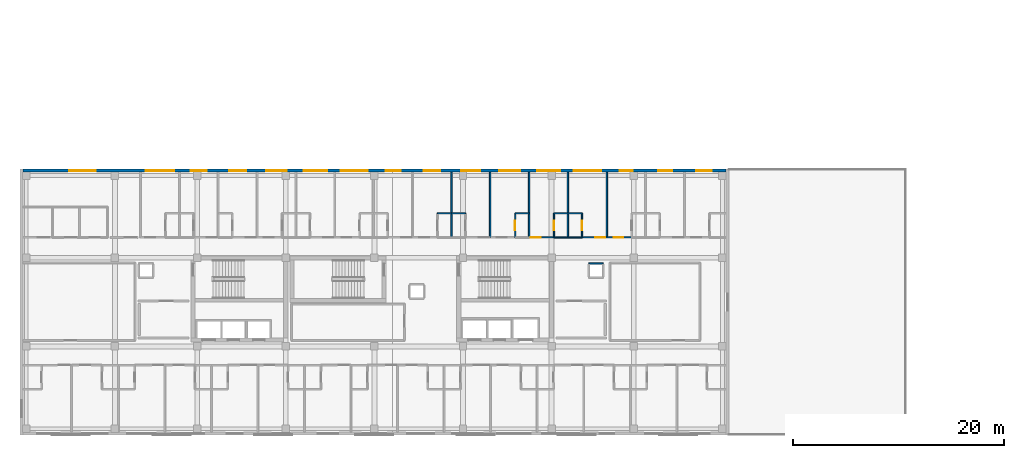
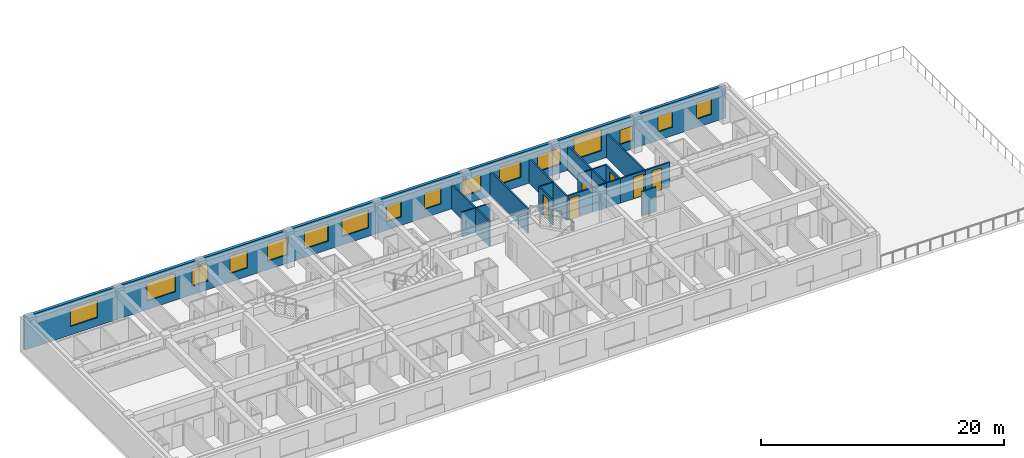
# One storey, part 8 of 13: 20 walls, 16 windows, 6 doors, 22 openings.
"""IFC4 building model written with IfcOpenShell, lengths in metres."""

import ifcopenshell
import ifcopenshell.guid

model = None  # the IFC model being written
_history = None  # IfcOwnerHistory: only IFC2X3 demands one
_inside = {}  # id of a spatial element -> (the spatial element, [elements in it])
_under = {}  # id of a project, library or spatial element -> (it, [spatial elements below it])
_declared = {}  # id of a project -> (the project, [libraries it declares])
_typed = {}  # id of a type object -> (the type object, [elements of that type])
_made_of = {}  # id of a material, layer set ... -> (it, [elements and type objects made of it])


def new_model(schema):
    """Start an empty IFC model of exactly this schema.

    Asked for "IFC4X3", IfcOpenShell would pick the latest addendum, in which some entities
    have other attributes; the version numbers below select the first issue.
    IFC2X3 requires an IfcOwnerHistory on every rooted entity: one is made here for all.
    """
    global model, _history
    if schema == "IFC4X3":
        model = ifcopenshell.file(schema_version=(4, 3, 0, 0))
    else:
        model = ifcopenshell.file(schema=schema)
    _inside.clear()
    _under.clear()
    _declared.clear()
    _typed.clear()
    _made_of.clear()
    _history = None
    if model.schema == "IFC2X3":
        org = make("IfcOrganization", Name="unknown")
        user = make(
            "IfcPersonAndOrganization",
            ThePerson=make("IfcPerson", FamilyName="unknown"),
            TheOrganization=org,
        )
        app = make(
            "IfcApplication",
            ApplicationDeveloper=org,
            Version="unknown",
            ApplicationFullName="unknown",
            ApplicationIdentifier="unknown",
        )
        _history = make(
            "IfcOwnerHistory",
            OwningUser=user,
            OwningApplication=app,
            ChangeAction="ADDED",
            CreationDate=0,
        )
    return model


def make(cls, **values):
    """One entity of the class cls with the attributes given. An attribute that is None is left unset."""
    return model.create_entity(
        cls, **{name: value for name, value in values.items() if value is not None}
    )


def rooted(cls, **values):
    """An entity with a GlobalId (a new one), such as an element, a storey or a relation."""
    return make(cls, GlobalId=ifcopenshell.guid.new(), OwnerHistory=_history, **values)


def si_unit(unit_type, name, prefix=None):
    """IfcSIUnit, for example si_unit("LENGTHUNIT", "METRE", prefix="MILLI")."""
    return make("IfcSIUnit", UnitType=unit_type, Prefix=prefix, Name=name)


def assignment(units):
    """IfcUnitAssignment: the units of a project."""
    return None if units is None else make("IfcUnitAssignment", Units=units)


def point(xyz):
    """IfcCartesianPoint."""
    return None if xyz is None else make("IfcCartesianPoint", Coordinates=xyz)


def direction(xyz):
    """IfcDirection."""
    return None if xyz is None else make("IfcDirection", DirectionRatios=xyz)


def frame(location, z_axis=None, x_axis=None):
    """IfcAxis2Placement3D, a coordinate frame: its origin and axes. An axis left out is left unset."""
    return make(
        "IfcAxis2Placement3D",
        Location=point(location),
        Axis=direction(z_axis),
        RefDirection=direction(x_axis),
    )


def frame_2d(location, x_axis=None):
    """IfcAxis2Placement2D, a coordinate frame in the plane: its origin and x axis."""
    return make(
        "IfcAxis2Placement2D", Location=point(location), RefDirection=direction(x_axis)
    )


def origin():
    """The frame at (0, 0, 0) with its axes left unset."""
    return frame((0.0, 0.0, 0.0))


def place(relative_to, where):
    """IfcLocalPlacement: puts the frame where relative to a parent placement (None: the world)."""
    return make(
        "IfcLocalPlacement", PlacementRelTo=relative_to, RelativePlacement=where
    )


def context(
    kind, dimensions, precision=None, world=None, true_north=None, identifier=None
):
    """IfcGeometricRepresentationContext, for example the 3D "Model" context."""
    return make(
        "IfcGeometricRepresentationContext",
        ContextIdentifier=identifier,
        ContextType=kind,
        CoordinateSpaceDimension=dimensions,
        Precision=precision,
        WorldCoordinateSystem=world,
        TrueNorth=true_north,
    )


def subcontext(parent, identifier, kind, view, scale=None):
    """IfcGeometricRepresentationSubContext, for example "Body" below "Model"."""
    return make(
        "IfcGeometricRepresentationSubContext",
        ContextIdentifier=identifier,
        ContextType=kind,
        ParentContext=parent,
        TargetScale=scale,
        TargetView=view,
    )


def project(units=None, contexts=None):
    """IfcProject with its units and contexts."""
    return rooted(
        "IfcProject",
        Name="project",
        RepresentationContexts=contexts,
        UnitsInContext=assignment(units),
    )


def spatial(cls, under=None, at=None, **own):
    """A site, building, storey or space (cls), placed at a placement, below another one or the project."""
    s = rooted(cls, ObjectPlacement=at, **own)
    if under is not None:
        _under.setdefault(under.id(), (under, []))[1].append(s)
    return s


def profile(cls, at=None, kind="AREA", **sizes):
    """A parametric profile (cls). Its sizes go by their IFC names, for example OverallWidth=200.0."""
    return make(cls, ProfileType=kind, Position=at, **sizes)


def rectangle(**sizes):
    """IfcRectangleProfileDef."""
    return profile("IfcRectangleProfileDef", **sizes)


def extrude(swept, where, along, depth):
    """IfcExtrudedAreaSolid: the profile swept, set in the frame where, extruded along a direction by depth."""
    return make(
        "IfcExtrudedAreaSolid",
        SweptArea=swept,
        Position=where,
        ExtrudedDirection=direction(along),
        Depth=depth,
    )


def shape(context_of_items, identifier, shape_type, items):
    """IfcShapeRepresentation: the items that make up one representation, for example the "Body"."""
    return make(
        "IfcShapeRepresentation",
        ContextOfItems=context_of_items,
        RepresentationIdentifier=identifier,
        RepresentationType=shape_type,
        Items=items,
    )


def material(Name=None, Category=None):
    """IfcMaterial."""
    return make("IfcMaterial", Name=Name, Category=Category)


def layer(
    of_material, thickness, ventilated=None, Name=None, Category=None, Priority=None
):
    """IfcMaterialLayer: one layer of a wall or slab, of a material (None: an air gap)."""
    return make(
        "IfcMaterialLayer",
        Material=of_material,
        LayerThickness=thickness,
        IsVentilated=ventilated,
        Name=Name,
        Category=Category,
        Priority=Priority,
    )


def layer_set(layers, Name=None):
    """IfcMaterialLayerSet."""
    return make("IfcMaterialLayerSet", MaterialLayers=layers, LayerSetName=Name)


def made_of(thing, what):
    """Note that an element or type object is made of a material, layer set ...; save() writes the relation."""
    if what is not None:
        _made_of.setdefault(what.id(), (what, []))[1].append(thing)
    return thing


def type_object(cls, material=None, **own):
    """A type object (cls), such as IfcWallType, which elements share."""
    return made_of(rooted(cls, **own), material)


def element(
    cls,
    number,
    at=None,
    inside=None,
    cuts=None,
    type_object=None,
    material=None,
    context=None,
    identifier="Body",
    shape_type=None,
    held_by="IfcProductDefinitionShape",
    body=None,
    shapes=None,
    **own,
):
    """One element of the class cls, such as IfcWall. Its Tag is "e" and its number.

    at: its placement. inside: the storey or other place that contains it. cuts: it is an
    opening in that element (IfcRelVoidsElement). A single representation is given by context,
    identifier, shape_type and body (its items); several are given by shapes. held_by: the class
    of the entity that holds the representations. save() writes the other relations.
    """
    e = rooted(cls, Tag="e%d" % number, ObjectPlacement=at, **own)
    if body is not None:
        shapes = [shape(context, identifier, shape_type, body)]
    if shapes is not None:
        e.Representation = make(held_by, Representations=shapes)
    if inside is not None:
        _inside.setdefault(inside.id(), (inside, []))[1].append(e)
    if cuts is not None:
        rooted(
            "IfcRelVoidsElement", RelatingBuildingElement=cuts, RelatedOpeningElement=e
        )
    if type_object is not None:
        _typed.setdefault(type_object.id(), (type_object, []))[1].append(e)
    return made_of(e, material)


def fill(opening, filler):
    """IfcRelFillsElement: the door or window that sits in an opening."""
    return rooted(
        "IfcRelFillsElement",
        RelatingOpeningElement=opening,
        RelatedBuildingElement=filler,
    )


def aggregate(whole, parts):
    """IfcRelAggregates: a whole, such as a stair, and the parts it consists of."""
    return rooted("IfcRelAggregates", RelatingObject=whole, RelatedObjects=parts)


def save(model, path):
    """Write the relations noted so far, then the file.

    IfcRelAggregates (storeys below a building ...), IfcRelContainedInSpatialStructure (elements
    in a storey), IfcRelDefinesByType, IfcRelAssociatesMaterial and IfcRelDeclares: one each for
    every whole, place, type object, material and project.
    """
    for whole, parts in _under.values():
        aggregate(whole, parts)
    for where, things in _inside.values():
        rooted(
            "IfcRelContainedInSpatialStructure",
            RelatedElements=things,
            RelatingStructure=where,
        )
    for kind, things in _typed.values():
        rooted("IfcRelDefinesByType", RelatedObjects=things, RelatingType=kind)
    for what, things in _made_of.values():
        rooted("IfcRelAssociatesMaterial", RelatedObjects=things, RelatingMaterial=what)
    for by, libraries in _declared.values():
        rooted("IfcRelDeclares", RelatingContext=by, RelatedDefinitions=libraries)
    model.write(path)


model = new_model("IFC4")

# Units and contexts
model_context = context("Model", 3, precision=1e-05, world=origin(), true_north=direction((0.0, 1.0)))
body_context = subcontext(model_context, "Body", "Model", "MODEL_VIEW")
ifc_project = project(units=[si_unit("LENGTHUNIT", "METRE"), si_unit("AREAUNIT", "SQUARE_METRE"), si_unit("VOLUMEUNIT", "CUBIC_METRE"), si_unit("PLANEANGLEUNIT", "RADIAN"), si_unit("MASSUNIT", "GRAM", prefix="KILO")], contexts=[model_context])

# Site, building, storey
site_placement = place(None, origin())
site = spatial("IfcSite", under=ifc_project, at=site_placement, CompositionType="ELEMENT")
building_placement = place(site_placement, origin())
building = spatial("IfcBuilding", under=site, at=building_placement, Name="Zayran Congress Hotel", CompositionType="ELEMENT")
storey_placement = place(building_placement, frame((0.0, 0.0, 22.800048828125)))
storey = spatial("IfcBuildingStorey", under=building, at=storey_placement, Name="L05", CompositionType="ELEMENT", Elevation=22.800048828125)

# Wall, openings, windows
ifc_material_1 = material(Name="Hajar Ma'ani limestone cavity wall and concrete C32/40", Category="masonry")
ifc_layer_1 = layer(ifc_material_1, 0.280029296875)
ifc_layer_set_1 = layer_set([ifc_layer_1], Name="Hajar Ma'ani limestone cavity wall and concrete C32/40")
wall_type_1 = type_object("IfcWallType", Name="WL-EX-280", PredefinedType="SOLIDWALL", material=ifc_layer_set_1)
wall_1_placement = place(storey_placement, frame((8.679931640625, 33.860107421875, 0.0), z_axis=(0.0, 0.0, 1.0), x_axis=(1.0, 0.0, 0.0)))
wall_1 = element("IfcWall", 1, at=wall_1_placement, inside=storey, type_object=wall_type_1, Name="EW-V5-N-L05", PredefinedType="SOLIDWALL", context=body_context, shape_type="SweptSolid", body=[
    extrude(rectangle(XDim=66.64013671875, YDim=0.280029296875, at=frame_2d((33.320068359375, 0.0))), origin(), (0.0, 0.0, 1.0), 3.320068359375),
])
opening_1_placement = place(wall_1_placement, frame((4.3701171875, 0.0, 0.85009765625)))
opening_1 = element("IfcOpeningElement", 2, at=opening_1_placement, cuts=wall_1, Name="Opening WN-10", PredefinedType="OPENING", context=body_context, shape_type="SweptSolid", body=[
    extrude(rectangle(XDim=2.550048828125, YDim=1.800048828125, at=frame_2d((1.27490234375, 0.89990234375))), frame((0.0, 0.14990234375, 0.0), z_axis=(0.0, -1.0, 0.0), x_axis=(1.0, 0.0, 0.0)), (0.0, 0.0, 1.0), 0.300048828125),
])
opening_2_placement = place(wall_1_placement, frame((11.64306640625, 0.0, 0.85009765625)))
opening_2 = element("IfcOpeningElement", 3, at=opening_2_placement, cuts=wall_1, Name="Opening WN-04", PredefinedType="OPENING", context=body_context, shape_type="SweptSolid", body=[
    extrude(rectangle(XDim=2.699951171875, YDim=1.85009765625, at=frame_2d((1.35009765625, 0.925048828125))), frame((0.0, 0.14990234375, 0.0), z_axis=(0.0, -1.0, 0.0), x_axis=(1.0, 0.0, 0.0)), (0.0, 0.0, 1.0), 0.300048828125),
])
opening_3_placement = place(wall_1_placement, frame((15.927001953125, 0.0, 0.85009765625)))
opening_3 = element("IfcOpeningElement", 4, at=opening_3_placement, cuts=wall_1, Name="Opening WN-06", PredefinedType="OPENING", context=body_context, shape_type="SweptSolid", body=[
    extrude(rectangle(XDim=1.5, YDim=1.75, at=frame_2d((0.75, 0.875))), frame((0.0, 0.14990234375, 0.0), z_axis=(0.0, -1.0, 0.0), x_axis=(1.0, 0.0, 0.0)), (0.0, 0.0, 1.0), 0.300048828125),
])
opening_4_placement = place(wall_1_placement, frame((19.537109375, 0.0, 0.85009765625)))
opening_4 = element("IfcOpeningElement", 5, at=opening_4_placement, cuts=wall_1, Name="Opening WN-07", PredefinedType="OPENING", context=body_context, shape_type="SweptSolid", body=[
    extrude(rectangle(XDim=1.64990234375, YDim=1.75, at=frame_2d((0.824951171875, 0.875))), frame((0.0, 0.14990234375, 0.0), z_axis=(0.0, -1.0, 0.0), x_axis=(1.0, 0.0, 0.0)), (0.0, 0.0, 1.0), 0.300048828125),
])
opening_5_placement = place(wall_1_placement, frame((23.072021484375, 0.0, 0.85009765625)))
opening_5 = element("IfcOpeningElement", 6, at=opening_5_placement, cuts=wall_1, Name="Opening WN-08", PredefinedType="OPENING", context=body_context, shape_type="SweptSolid", body=[
    extrude(rectangle(XDim=1.949951171875, YDim=1.75, at=frame_2d((0.97509765625, 0.875))), frame((0.0, 0.14990234375, 0.0), z_axis=(0.0, -1.0, 0.0), x_axis=(1.0, 0.0, 0.0)), (0.0, 0.0, 1.0), 0.300048828125),
])
opening_6_placement = place(wall_1_placement, frame((26.60595703125, 0.0, 0.85009765625)))
opening_6 = element("IfcOpeningElement", 7, at=opening_6_placement, cuts=wall_1, Name="Opening WN-09", PredefinedType="OPENING", context=body_context, shape_type="SweptSolid", body=[
    extrude(rectangle(XDim=2.25, YDim=1.75, at=frame_2d((1.125, 0.875))), frame((0.0, 0.14990234375, 0.0), z_axis=(0.0, -1.0, 0.0), x_axis=(1.0, 0.0, 0.0)), (0.0, 0.0, 1.0), 0.300048828125),
])
opening_7_placement = place(wall_1_placement, frame((30.14111328125, 0.0, 0.85009765625)))
opening_7 = element("IfcOpeningElement", 8, at=opening_7_placement, cuts=wall_1, Name="Opening WN-10", PredefinedType="OPENING", context=body_context, shape_type="SweptSolid", body=[
    extrude(rectangle(XDim=2.550048828125, YDim=1.800048828125, at=frame_2d((1.27490234375, 0.89990234375))), frame((0.0, 0.14990234375, 0.0), z_axis=(0.0, -1.0, 0.0), x_axis=(1.0, 0.0, 0.0)), (0.0, 0.0, 1.0), 0.300048828125),
])
opening_8_placement = place(wall_1_placement, frame((34.40087890625, 0.0, 0.85009765625)))
opening_8 = element("IfcOpeningElement", 9, at=opening_8_placement, cuts=wall_1, Name="Opening WN-14", PredefinedType="OPENING", context=body_context, shape_type="SweptSolid", body=[
    extrude(rectangle(XDim=1.39990234375, YDim=1.60009765625, at=frame_2d((0.699951171875, 0.800048828125))), frame((0.0, 0.14990234375, 0.0), z_axis=(0.0, -1.0, 0.0), x_axis=(1.0, 0.0, 0.0)), (0.0, 0.0, 1.0), 0.300048828125),
])
opening_9_placement = place(wall_1_placement, frame((37.985107421875, 0.0, 0.85009765625)))
opening_9 = element("IfcOpeningElement", 10, at=opening_9_placement, cuts=wall_1, Name="Opening WN-15", PredefinedType="OPENING", context=body_context, shape_type="SweptSolid", body=[
    extrude(rectangle(XDim=1.60009765625, YDim=1.60009765625, at=frame_2d((0.800048828125, 0.800048828125))), frame((0.0, 0.14990234375, 0.0), z_axis=(0.0, -1.0, 0.0), x_axis=(1.0, 0.0, 0.0)), (0.0, 0.0, 1.0), 0.300048828125),
])
opening_10_placement = place(wall_1_placement, frame((41.570068359375, 0.0, 0.85009765625)))
opening_10 = element("IfcOpeningElement", 11, at=opening_10_placement, cuts=wall_1, Name="Opening WN-16", PredefinedType="OPENING", context=body_context, shape_type="SweptSolid", body=[
    extrude(rectangle(XDim=1.800048828125, YDim=1.60009765625, at=frame_2d((0.89990234375, 0.800048828125))), frame((0.0, 0.14990234375, 0.0), z_axis=(0.0, -1.0, 0.0), x_axis=(1.0, 0.0, 0.0)), (0.0, 0.0, 1.0), 0.300048828125),
])
opening_11_placement = place(wall_1_placement, frame((45.155029296875, 0.0, 0.85009765625)))
opening_11 = element("IfcOpeningElement", 12, at=opening_11_placement, cuts=wall_1, Name="Opening WN-17", PredefinedType="OPENING", context=body_context, shape_type="SweptSolid", body=[
    extrude(rectangle(XDim=2.0, YDim=1.64990234375, at=frame_2d((1.0, 0.824951171875))), frame((0.0, 0.14990234375, 0.0), z_axis=(0.0, -1.0, 0.0), x_axis=(1.0, 0.0, 0.0)), (0.0, 0.0, 1.0), 0.300048828125),
])
opening_12_placement = place(wall_1_placement, frame((48.739013671875, 0.0, 0.85009765625)))
opening_12 = element("IfcOpeningElement", 13, at=opening_12_placement, cuts=wall_1, Name="Opening WN-18", PredefinedType="OPENING", context=body_context, shape_type="SweptSolid", body=[
    extrude(rectangle(XDim=2.199951171875, YDim=1.64990234375, at=frame_2d((1.10009765625, 0.824951171875))), frame((0.0, 0.14990234375, 0.0), z_axis=(0.0, -1.0, 0.0), x_axis=(1.0, 0.0, 0.0)), (0.0, 0.0, 1.0), 0.300048828125),
])
opening_13_placement = place(wall_1_placement, frame((52.22412109375, 0.0, 0.85009765625)))
opening_13 = element("IfcOpeningElement", 14, at=opening_13_placement, cuts=wall_1, Name="Opening WN-19", PredefinedType="OPENING", context=body_context, shape_type="SweptSolid", body=[
    extrude(rectangle(XDim=2.60009765625, YDim=2.199951171875, at=frame_2d((1.300048828125, 1.10009765625))), frame((0.0, 0.14990234375, 0.0), z_axis=(0.0, -1.0, 0.0), x_axis=(1.0, 0.0, 0.0)), (0.0, 0.0, 1.0), 0.300048828125),
])
opening_14_placement = place(wall_1_placement, frame((56.5830078125, 0.0, 0.85009765625)))
opening_14 = element("IfcOpeningElement", 15, at=opening_14_placement, cuts=wall_1, Name="Opening WN-23", PredefinedType="OPENING", context=body_context, shape_type="SweptSolid", body=[
    extrude(rectangle(XDim=1.25, YDim=1.449951171875, at=frame_2d((0.625, 0.72509765625))), frame((0.0, 0.14990234375, 0.0), z_axis=(0.0, -1.0, 0.0), x_axis=(1.0, 0.0, 0.0)), (0.0, 0.0, 1.0), 0.300048828125),
])
opening_15_placement = place(wall_1_placement, frame((60.218017578125, 0.0, 0.85009765625)))
opening_15 = element("IfcOpeningElement", 16, at=opening_15_placement, cuts=wall_1, Name="Opening WN-24", PredefinedType="OPENING", context=body_context, shape_type="SweptSolid", body=[
    extrude(rectangle(XDim=1.35009765625, YDim=1.550048828125, at=frame_2d((0.675048828125, 0.77490234375))), frame((0.0, 0.14990234375, 0.0), z_axis=(0.0, -1.0, 0.0), x_axis=(1.0, 0.0, 0.0)), (0.0, 0.0, 1.0), 0.300048828125),
])
opening_16_placement = place(wall_1_placement, frame((63.85205078125, 0.0, 0.85009765625)))
opening_16 = element("IfcOpeningElement", 17, at=opening_16_placement, cuts=wall_1, Name="Opening WN-25", PredefinedType="OPENING", context=body_context, shape_type="SweptSolid", body=[
    extrude(rectangle(XDim=1.449951171875, YDim=1.64990234375, at=frame_2d((0.72509765625, 0.824951171875))), frame((0.0, 0.14990234375, 0.0), z_axis=(0.0, -1.0, 0.0), x_axis=(1.0, 0.0, 0.0)), (0.0, 0.0, 1.0), 0.300048828125),
])
ifc_material_2 = material(Name="Anodised aluminium and low-E insulated glass", Category="aluminium")
window_type_1 = type_object("IfcWindowType", Name="TP-WN-04", PartitioningType="TRIPLE_PANEL_VERTICAL", PredefinedType="WINDOW", material=ifc_material_2)
window_1_placement = place(opening_2_placement, origin())
window_1 = element("IfcWindow", 18, at=window_1_placement, inside=storey, type_object=window_type_1, Name="WIN-V5N-L05-0318", OverallHeight=1.85009765625, OverallWidth=2.699951171875, PartitioningType="SINGLE_PANEL", PredefinedType="WINDOW", context=body_context, shape_type="SweptSolid", body=[
    extrude(rectangle(XDim=2.699951171875, YDim=1.85009765625, at=frame_2d((1.35009765625, 0.925048828125))), frame((0.0, 0.030029296875, 0.0), z_axis=(0.0, -1.0, 0.0), x_axis=(1.0, 0.0, 0.0)), (0.0, 0.0, 1.0), 0.06005859375),
])
fill(opening_2, window_1)
window_type_2 = type_object("IfcWindowType", Name="TP-WN-06", PartitioningType="SINGLE_PANEL", PredefinedType="WINDOW", material=ifc_material_2)
window_2_placement = place(opening_3_placement, origin())
window_2 = element("IfcWindow", 19, at=window_2_placement, inside=storey, type_object=window_type_2, Name="WIN-V5N-L05-0319", OverallHeight=1.75, OverallWidth=1.5, PartitioningType="SINGLE_PANEL", PredefinedType="WINDOW", context=body_context, shape_type="SweptSolid", body=[
    extrude(rectangle(XDim=1.5, YDim=1.75, at=frame_2d((0.75, 0.875))), frame((0.0, 0.030029296875, 0.0), z_axis=(0.0, -1.0, 0.0), x_axis=(1.0, 0.0, 0.0)), (0.0, 0.0, 1.0), 0.06005859375),
])
fill(opening_3, window_2)
window_type_3 = type_object("IfcWindowType", Name="TP-WN-07", PartitioningType="SINGLE_PANEL", PredefinedType="WINDOW", material=ifc_material_2)
window_3_placement = place(opening_4_placement, origin())
window_3 = element("IfcWindow", 20, at=window_3_placement, inside=storey, type_object=window_type_3, Name="WIN-V5N-L05-0320", OverallHeight=1.75, OverallWidth=1.64990234375, PartitioningType="SINGLE_PANEL", PredefinedType="WINDOW", context=body_context, shape_type="SweptSolid", body=[
    extrude(rectangle(XDim=1.64990234375, YDim=1.75, at=frame_2d((0.824951171875, 0.875))), frame((0.0, 0.030029296875, 0.0), z_axis=(0.0, -1.0, 0.0), x_axis=(1.0, 0.0, 0.0)), (0.0, 0.0, 1.0), 0.06005859375),
])
fill(opening_4, window_3)
window_type_4 = type_object("IfcWindowType", Name="TP-WN-08", PartitioningType="DOUBLE_PANEL_VERTICAL", PredefinedType="WINDOW", material=ifc_material_2)
window_4_placement = place(opening_5_placement, origin())
window_4 = element("IfcWindow", 21, at=window_4_placement, inside=storey, type_object=window_type_4, Name="WIN-V5N-L05-0321", OverallHeight=1.75, OverallWidth=1.949951171875, PartitioningType="SINGLE_PANEL", PredefinedType="WINDOW", context=body_context, shape_type="SweptSolid", body=[
    extrude(rectangle(XDim=1.949951171875, YDim=1.75, at=frame_2d((0.97509765625, 0.875))), frame((0.0, 0.030029296875, 0.0), z_axis=(0.0, -1.0, 0.0), x_axis=(1.0, 0.0, 0.0)), (0.0, 0.0, 1.0), 0.06005859375),
])
fill(opening_5, window_4)
window_type_5 = type_object("IfcWindowType", Name="TP-WN-09", PartitioningType="DOUBLE_PANEL_VERTICAL", PredefinedType="WINDOW", material=ifc_material_2)
window_5_placement = place(opening_6_placement, origin())
window_5 = element("IfcWindow", 22, at=window_5_placement, inside=storey, type_object=window_type_5, Name="WIN-V5N-L05-0322", OverallHeight=1.75, OverallWidth=2.25, PartitioningType="SINGLE_PANEL", PredefinedType="WINDOW", context=body_context, shape_type="SweptSolid", body=[
    extrude(rectangle(XDim=2.25, YDim=1.75, at=frame_2d((1.125, 0.875))), frame((0.0, 0.030029296875, 0.0), z_axis=(0.0, -1.0, 0.0), x_axis=(1.0, 0.0, 0.0)), (0.0, 0.0, 1.0), 0.06005859375),
])
fill(opening_6, window_5)
window_type_6 = type_object("IfcWindowType", Name="TP-WN-10", PartitioningType="DOUBLE_PANEL_VERTICAL", PredefinedType="WINDOW", material=ifc_material_2)
window_6_placement = place(opening_1_placement, origin())
window_6 = element("IfcWindow", 23, at=window_6_placement, inside=storey, type_object=window_type_6, Name="WIN-V5N-L05-0317", OverallHeight=1.800048828125, OverallWidth=2.550048828125, PartitioningType="SINGLE_PANEL", PredefinedType="WINDOW", context=body_context, shape_type="SweptSolid", body=[
    extrude(rectangle(XDim=2.550048828125, YDim=1.800048828125, at=frame_2d((1.27490234375, 0.89990234375))), frame((0.0, 0.030029296875, 0.0), z_axis=(0.0, -1.0, 0.0), x_axis=(1.0, 0.0, 0.0)), (0.0, 0.0, 1.0), 0.06005859375),
])
fill(opening_1, window_6)
window_7_placement = place(opening_7_placement, origin())
window_7 = element("IfcWindow", 24, at=window_7_placement, inside=storey, type_object=window_type_6, Name="WIN-V5N-L05-0323", OverallHeight=1.800048828125, OverallWidth=2.550048828125, PartitioningType="SINGLE_PANEL", PredefinedType="WINDOW", context=body_context, shape_type="SweptSolid", body=[
    extrude(rectangle(XDim=2.550048828125, YDim=1.800048828125, at=frame_2d((1.27490234375, 0.89990234375))), frame((0.0, 0.030029296875, 0.0), z_axis=(0.0, -1.0, 0.0), x_axis=(1.0, 0.0, 0.0)), (0.0, 0.0, 1.0), 0.06005859375),
])
fill(opening_7, window_7)
window_type_7 = type_object("IfcWindowType", Name="TP-WN-14", PartitioningType="SINGLE_PANEL", PredefinedType="WINDOW", material=ifc_material_2)
window_8_placement = place(opening_8_placement, origin())
window_8 = element("IfcWindow", 25, at=window_8_placement, inside=storey, type_object=window_type_7, Name="WIN-V5N-L05-0324", OverallHeight=1.60009765625, OverallWidth=1.39990234375, PartitioningType="SINGLE_PANEL", PredefinedType="WINDOW", context=body_context, shape_type="SweptSolid", body=[
    extrude(rectangle(XDim=1.39990234375, YDim=1.60009765625, at=frame_2d((0.699951171875, 0.800048828125))), frame((0.0, 0.030029296875, 0.0), z_axis=(0.0, -1.0, 0.0), x_axis=(1.0, 0.0, 0.0)), (0.0, 0.0, 1.0), 0.06005859375),
])
fill(opening_8, window_8)
window_type_8 = type_object("IfcWindowType", Name="TP-WN-15", PartitioningType="SINGLE_PANEL", PredefinedType="WINDOW", material=ifc_material_2)
window_9_placement = place(opening_9_placement, origin())
window_9 = element("IfcWindow", 26, at=window_9_placement, inside=storey, type_object=window_type_8, Name="WIN-V5N-L05-0325", OverallHeight=1.60009765625, OverallWidth=1.60009765625, PartitioningType="SINGLE_PANEL", PredefinedType="WINDOW", context=body_context, shape_type="SweptSolid", body=[
    extrude(rectangle(XDim=1.60009765625, YDim=1.60009765625, at=frame_2d((0.800048828125, 0.800048828125))), frame((0.0, 0.030029296875, 0.0), z_axis=(0.0, -1.0, 0.0), x_axis=(1.0, 0.0, 0.0)), (0.0, 0.0, 1.0), 0.06005859375),
])
fill(opening_9, window_9)
window_type_9 = type_object("IfcWindowType", Name="TP-WN-16", PartitioningType="DOUBLE_PANEL_VERTICAL", PredefinedType="WINDOW", material=ifc_material_2)
window_10_placement = place(opening_10_placement, origin())
window_10 = element("IfcWindow", 27, at=window_10_placement, inside=storey, type_object=window_type_9, Name="WIN-V5N-L05-0326", OverallHeight=1.60009765625, OverallWidth=1.800048828125, PartitioningType="SINGLE_PANEL", PredefinedType="WINDOW", context=body_context, shape_type="SweptSolid", body=[
    extrude(rectangle(XDim=1.800048828125, YDim=1.60009765625, at=frame_2d((0.89990234375, 0.800048828125))), frame((0.0, 0.030029296875, 0.0), z_axis=(0.0, -1.0, 0.0), x_axis=(1.0, 0.0, 0.0)), (0.0, 0.0, 1.0), 0.06005859375),
])
fill(opening_10, window_10)
window_type_10 = type_object("IfcWindowType", Name="TP-WN-17", PartitioningType="DOUBLE_PANEL_VERTICAL", PredefinedType="WINDOW", material=ifc_material_2)
window_11_placement = place(opening_11_placement, origin())
window_11 = element("IfcWindow", 28, at=window_11_placement, inside=storey, type_object=window_type_10, Name="WIN-V5N-L05-0327", OverallHeight=1.64990234375, OverallWidth=2.0, PartitioningType="SINGLE_PANEL", PredefinedType="WINDOW", context=body_context, shape_type="SweptSolid", body=[
    extrude(rectangle(XDim=2.0, YDim=1.64990234375, at=frame_2d((1.0, 0.824951171875))), frame((0.0, 0.030029296875, 0.0), z_axis=(0.0, -1.0, 0.0), x_axis=(1.0, 0.0, 0.0)), (0.0, 0.0, 1.0), 0.06005859375),
])
fill(opening_11, window_11)
window_type_11 = type_object("IfcWindowType", Name="TP-WN-18", PartitioningType="DOUBLE_PANEL_VERTICAL", PredefinedType="WINDOW", material=ifc_material_2)
window_12_placement = place(opening_12_placement, origin())
window_12 = element("IfcWindow", 29, at=window_12_placement, inside=storey, type_object=window_type_11, Name="WIN-V5N-L05-0328", OverallHeight=1.64990234375, OverallWidth=2.199951171875, PartitioningType="SINGLE_PANEL", PredefinedType="WINDOW", context=body_context, shape_type="SweptSolid", body=[
    extrude(rectangle(XDim=2.199951171875, YDim=1.64990234375, at=frame_2d((1.10009765625, 0.824951171875))), frame((0.0, 0.030029296875, 0.0), z_axis=(0.0, -1.0, 0.0), x_axis=(1.0, 0.0, 0.0)), (0.0, 0.0, 1.0), 0.06005859375),
])
fill(opening_12, window_12)
window_type_12 = type_object("IfcWindowType", Name="TP-WN-19", PartitioningType="DOUBLE_PANEL_VERTICAL", PredefinedType="WINDOW", material=ifc_material_2)
window_13_placement = place(opening_13_placement, origin())
window_13 = element("IfcWindow", 30, at=window_13_placement, inside=storey, type_object=window_type_12, Name="WIN-V5N-L05-0329", OverallHeight=2.199951171875, OverallWidth=2.60009765625, PartitioningType="SINGLE_PANEL", PredefinedType="WINDOW", context=body_context, shape_type="SweptSolid", body=[
    extrude(rectangle(XDim=2.60009765625, YDim=2.199951171875, at=frame_2d((1.300048828125, 1.10009765625))), frame((0.0, 0.030029296875, 0.0), z_axis=(0.0, -1.0, 0.0), x_axis=(1.0, 0.0, 0.0)), (0.0, 0.0, 1.0), 0.06005859375),
])
fill(opening_13, window_13)
window_type_13 = type_object("IfcWindowType", Name="TP-WN-23", PartitioningType="SINGLE_PANEL", PredefinedType="WINDOW", material=ifc_material_2)
window_14_placement = place(opening_14_placement, origin())
window_14 = element("IfcWindow", 31, at=window_14_placement, inside=storey, type_object=window_type_13, Name="WIN-V5N-L05-0330", OverallHeight=1.449951171875, OverallWidth=1.25, PartitioningType="SINGLE_PANEL", PredefinedType="WINDOW", context=body_context, shape_type="SweptSolid", body=[
    extrude(rectangle(XDim=1.25, YDim=1.449951171875, at=frame_2d((0.625, 0.72509765625))), frame((0.0, 0.030029296875, 0.0), z_axis=(0.0, -1.0, 0.0), x_axis=(1.0, 0.0, 0.0)), (0.0, 0.0, 1.0), 0.06005859375),
])
fill(opening_14, window_14)
window_type_14 = type_object("IfcWindowType", Name="TP-WN-24", PartitioningType="SINGLE_PANEL", PredefinedType="WINDOW", material=ifc_material_2)
window_15_placement = place(opening_15_placement, origin())
window_15 = element("IfcWindow", 32, at=window_15_placement, inside=storey, type_object=window_type_14, Name="WIN-V5N-L05-0331", OverallHeight=1.550048828125, OverallWidth=1.35009765625, PartitioningType="SINGLE_PANEL", PredefinedType="WINDOW", context=body_context, shape_type="SweptSolid", body=[
    extrude(rectangle(XDim=1.35009765625, YDim=1.550048828125, at=frame_2d((0.675048828125, 0.77490234375))), frame((0.0, 0.030029296875, 0.0), z_axis=(0.0, -1.0, 0.0), x_axis=(1.0, 0.0, 0.0)), (0.0, 0.0, 1.0), 0.06005859375),
])
fill(opening_15, window_15)
window_type_15 = type_object("IfcWindowType", Name="TP-WN-25", PartitioningType="SINGLE_PANEL", PredefinedType="WINDOW", material=ifc_material_2)
window_16_placement = place(opening_16_placement, origin())
window_16 = element("IfcWindow", 33, at=window_16_placement, inside=storey, type_object=window_type_15, Name="WIN-V5N-L05-0332", OverallHeight=1.64990234375, OverallWidth=1.449951171875, PartitioningType="SINGLE_PANEL", PredefinedType="WINDOW", context=body_context, shape_type="SweptSolid", body=[
    extrude(rectangle(XDim=1.449951171875, YDim=1.64990234375, at=frame_2d((0.72509765625, 0.824951171875))), frame((0.0, 0.030029296875, 0.0), z_axis=(0.0, -1.0, 0.0), x_axis=(1.0, 0.0, 0.0)), (0.0, 0.0, 1.0), 0.06005859375),
])
fill(opening_16, window_16)

# Wall, opening, door
ifc_material_3 = material(Name="Hospitality guestroom acoustic partition", Category="gypsum")
ifc_layer_2 = layer(ifc_material_3, 0.139892578125)
ifc_layer_set_2 = layer_set([ifc_layer_2], Name="Hospitality guestroom acoustic partition")
wall_type_2 = type_object("IfcWallType", Name="WL-PT-140", PredefinedType="PARTITIONING", material=ifc_layer_set_2)
wall_2_placement = place(storey_placement, frame((56.68701171875, 27.530029296875, 0.0), z_axis=(0.0, 0.0, 1.0), x_axis=(1.0, 0.0, 0.0)))
wall_2 = element("IfcWall", 34, at=wall_2_placement, inside=storey, type_object=wall_type_2, Name="IW-L05-0684", PredefinedType="PARTITIONING", context=body_context, shape_type="SweptSolid", body=[
    extrude(rectangle(XDim=2.343994140625, YDim=0.139892578125, at=frame_2d((1.171875, 0.0))), origin(), (0.0, 0.0, 1.0), 2.47998046875),
])
opening_17_placement = place(wall_2_placement, frame((0.139892578125, 0.0, 0.0)))
opening_17 = element("IfcOpeningElement", 35, at=opening_17_placement, cuts=wall_2, Name="Opening DR-GR-01", PredefinedType="OPENING", context=body_context, shape_type="SweptSolid", body=[
    extrude(rectangle(XDim=0.93994140625, YDim=2.199951171875, at=frame_2d((0.469970703125, 1.10009765625))), frame((0.0, 0.079833984375, 0.0), z_axis=(0.0, -1.0, 0.0), x_axis=(1.0, 0.0, 0.0)), (0.0, 0.0, 1.0), 0.159912109375),
])
ifc_material_4 = material(Name="Acoustic walnut veneer fire-rated entry door", Category="wood")
door_type_1 = type_object("IfcDoorType", Name="TP-DR-GR-01", OperationType="NOTDEFINED", PredefinedType="DOOR", material=ifc_material_4)
door_1_placement = place(opening_17_placement, origin())
door_1 = element("IfcDoor", 36, at=door_1_placement, inside=storey, type_object=door_type_1, Name="Guest Room L05-26 Door", OperationType="SINGLE_SWING_RIGHT", OverallHeight=2.199951171875, OverallWidth=0.93994140625, PredefinedType="DOOR", context=body_context, shape_type="SweptSolid", body=[
    extrude(rectangle(XDim=0.93994140625, YDim=2.199951171875, at=frame_2d((0.469970703125, 1.10009765625))), frame((0.0, 0.02490234375, 0.0), z_axis=(0.0, -1.0, 0.0), x_axis=(1.0, 0.0, 0.0)), (0.0, 0.0, 1.0), 0.050048828125),
])
fill(opening_17, door_1)

wall_3_placement = place(storey_placement, frame((61.69091796875, 27.530029296875, 0.0), z_axis=(0.0, 0.0, 1.0), x_axis=(1.0, 0.0, 0.0)))
wall_3 = element("IfcWall", 37, at=wall_3_placement, inside=storey, type_object=wall_type_2, Name="IW-L05-0685", PredefinedType="PARTITIONING", context=body_context, shape_type="SweptSolid", body=[
    extrude(rectangle(XDim=2.344970703125, YDim=0.139892578125, at=frame_2d((1.17236328125, 0.0))), origin(), (0.0, 0.0, 1.0), 2.47998046875),
])
opening_18_placement = place(wall_3_placement, frame((1.264892578125, 0.0, 0.0)))
opening_18 = element("IfcOpeningElement", 38, at=opening_18_placement, cuts=wall_3, Name="Opening DR-GR-01", PredefinedType="OPENING", context=body_context, shape_type="SweptSolid", body=[
    extrude(rectangle(XDim=0.93994140625, YDim=2.199951171875, at=frame_2d((0.469970703125, 1.10009765625))), frame((0.0, 0.079833984375, 0.0), z_axis=(0.0, -1.0, 0.0), x_axis=(1.0, 0.0, 0.0)), (0.0, 0.0, 1.0), 0.159912109375),
])
door_2_placement = place(opening_18_placement, origin())
door_2 = element("IfcDoor", 39, at=door_2_placement, inside=storey, type_object=door_type_1, Name="Guest Room L05-27 Door", OperationType="SINGLE_SWING_LEFT", OverallHeight=2.199951171875, OverallWidth=0.93994140625, PredefinedType="DOOR", context=body_context, shape_type="SweptSolid", body=[
    extrude(rectangle(XDim=0.93994140625, YDim=2.199951171875, at=frame_2d((0.469970703125, 1.10009765625))), frame((0.0, 0.02490234375, 0.0), z_axis=(0.0, -1.0, 0.0), x_axis=(1.0, 0.0, 0.0)), (0.0, 0.0, 1.0), 0.050048828125),
])
fill(opening_18, door_2)

wall_4_placement = place(storey_placement, frame((64.055908203125, 27.530029296875, 0.0), z_axis=(0.0, 0.0, 1.0), x_axis=(1.0, 0.0, 0.0)))
wall_4 = element("IfcWall", 40, at=wall_4_placement, inside=storey, type_object=wall_type_2, Name="IW-L05-0686", PredefinedType="PARTITIONING", context=body_context, shape_type="SweptSolid", body=[
    extrude(rectangle(XDim=2.344970703125, YDim=0.139892578125, at=frame_2d((1.17236328125, 0.0))), origin(), (0.0, 0.0, 1.0), 2.47998046875),
])
opening_19_placement = place(wall_4_placement, frame((0.6220703125, 0.0, 0.0)))
opening_19 = element("IfcOpeningElement", 41, at=opening_19_placement, cuts=wall_4, Name="Opening DR-GR-01", PredefinedType="OPENING", context=body_context, shape_type="SweptSolid", body=[
    extrude(rectangle(XDim=0.93994140625, YDim=2.199951171875, at=frame_2d((0.469970703125, 1.10009765625))), frame((0.0, 0.079833984375, 0.0), z_axis=(0.0, -1.0, 0.0), x_axis=(1.0, 0.0, 0.0)), (0.0, 0.0, 1.0), 0.159912109375),
])
door_3_placement = place(opening_19_placement, origin())
door_3 = element("IfcDoor", 42, at=door_3_placement, inside=storey, type_object=door_type_1, Name="Guest Room L05-28 Door", OperationType="SINGLE_SWING_RIGHT", OverallHeight=2.199951171875, OverallWidth=0.93994140625, PredefinedType="DOOR", context=body_context, shape_type="SweptSolid", body=[
    extrude(rectangle(XDim=0.93994140625, YDim=2.199951171875, at=frame_2d((0.469970703125, 1.10009765625))), frame((0.0, 0.02490234375, 0.0), z_axis=(0.0, -1.0, 0.0), x_axis=(1.0, 0.0, 0.0)), (0.0, 0.0, 1.0), 0.050048828125),
])
fill(opening_19, door_3)

# Walls
for number, where, z_axis, x_axis, name in (
    (43, (49.297119140625, 27.52001953125, 0.0), (0.0, 0.0, 1.0), (0.0, 1.0, 0.0), "IW-L05-2009"),
    (44, (52.98193359375, 27.52001953125, 0.0), (0.0, 0.0, 1.0), (0.0, 1.0, 0.0), "IW-L05-2010"),
    (45, (56.6669921875, 27.52001953125, 0.0), (0.0, 0.0, 1.0), (0.0, 1.0, 0.0), "IW-L05-2011"),
    (46, (60.35107421875, 27.52001953125, 0.0), (0.0, 0.0, 1.0), (0.0, 1.0, 0.0), "IW-L05-2012"),
    (47, (64.035888671875, 27.52001953125, 0.0), (0.0, 0.0, 1.0), (0.0, 1.0, 0.0), "IW-L05-2013"),
):
    element("IfcWall", number, at=place(storey_placement, frame(where, z_axis=z_axis, x_axis=x_axis)), inside=storey, type_object=wall_type_2, Name=name, PredefinedType="PARTITIONING", context=body_context, shape_type="SweptSolid", body=[
        extrude(rectangle(XDim=6.199951171875, YDim=0.139892578125, at=frame_2d((3.10009765625, 0.0))), origin(), (0.0, 0.0, 1.0), 2.47998046875),
    ])
wall_5_placement = place(storey_placement, frame((63.68994140625, 25.050048828125, 0.0), z_axis=(0.0, 0.0, 1.0), x_axis=(-1.0, 0.0, 0.0)))
element("IfcWall", 48, at=wall_5_placement, inside=storey, type_object=wall_type_2, Name="RSWL-V5-L05-040-N", PredefinedType="PARTITIONING", context=body_context, shape_type="SweptSolid", body=[
    extrude(rectangle(XDim=1.35986328125, YDim=0.139892578125, at=frame_2d((0.679931640625, 0.0))), origin(), (0.0, 0.0, 1.0), 2.43994140625),
])

# Wall, opening, door
ifc_material_5 = material(Name="Moisture-resistant bathroom partition", Category="gypsum")
ifc_layer_3 = layer(ifc_material_5, 0.1201171875)
ifc_layer_set_3 = layer_set([ifc_layer_3], Name="Moisture-resistant bathroom partition")
wall_type_3 = type_object("IfcWallType", Name="WL-PT-120", PredefinedType="PARTITIONING", material=ifc_layer_set_3)
wall_6_placement = place(storey_placement, frame((55.346923828125, 27.52001953125, 0.0), z_axis=(0.0, 0.0, 1.0), x_axis=(0.0, 1.0, 0.0)))
wall_6 = element("IfcWall", 49, at=wall_6_placement, inside=storey, type_object=wall_type_3, Name="IW-L05-0185", PredefinedType="PARTITIONING", context=body_context, shape_type="SweptSolid", body=[
    extrude(rectangle(XDim=2.31005859375, YDim=0.1201171875, at=frame_2d((1.155029296875, 0.0))), origin(), (0.0, 0.0, 1.0), 2.47998046875),
])
opening_20_placement = place(wall_6_placement, frame((0.715087890625, 0.0, 0.0)))
opening_20 = element("IfcOpeningElement", 50, at=opening_20_placement, cuts=wall_6, Name="Opening DR-BT-01", PredefinedType="OPENING", context=body_context, shape_type="SweptSolid", body=[
    extrude(rectangle(XDim=0.8798828125, YDim=2.14990234375, at=frame_2d((0.43994140625, 1.074951171875))), frame((0.0, 0.070068359375, 0.0), z_axis=(0.0, -1.0, 0.0), x_axis=(1.0, 0.0, 0.0)), (0.0, 0.0, 1.0), 0.14013671875),
])
ifc_material_6 = material(Name="Moisture-resistant oak en-suite door", Category="wood")
door_type_2 = type_object("IfcDoorType", Name="TP-DR-BT-01", OperationType="NOTDEFINED", PredefinedType="DOOR", material=ifc_material_6)
door_4_placement = place(opening_20_placement, origin())
door_4 = element("IfcDoor", 51, at=door_4_placement, inside=storey, type_object=door_type_2, Name="En-Suite Bathroom L05-25 Door", OperationType="SINGLE_SWING_RIGHT", OverallHeight=2.14990234375, OverallWidth=0.8798828125, PredefinedType="DOOR", context=body_context, shape_type="SweptSolid", body=[
    extrude(rectangle(XDim=0.8798828125, YDim=2.14990234375, at=frame_2d((0.43994140625, 1.074951171875))), frame((0.0, 0.02490234375, 0.0), z_axis=(0.0, -1.0, 0.0), x_axis=(1.0, 0.0, 0.0)), (0.0, 0.0, 1.0), 0.050048828125),
])
fill(opening_20, door_4)

wall_7_placement = place(storey_placement, frame((59.031005859375, 27.52001953125, 0.0), z_axis=(0.0, 0.0, 1.0), x_axis=(0.0, 1.0, 0.0)))
wall_7 = element("IfcWall", 52, at=wall_7_placement, inside=storey, type_object=wall_type_3, Name="IW-L05-0186", PredefinedType="PARTITIONING", context=body_context, shape_type="SweptSolid", body=[
    extrude(rectangle(XDim=2.31005859375, YDim=0.1201171875, at=frame_2d((1.155029296875, 0.0))), origin(), (0.0, 0.0, 1.0), 2.47998046875),
])
opening_21_placement = place(wall_7_placement, frame((0.715087890625, 0.0, 0.0)))
opening_21 = element("IfcOpeningElement", 53, at=opening_21_placement, cuts=wall_7, Name="Opening DR-BT-01", PredefinedType="OPENING", context=body_context, shape_type="SweptSolid", body=[
    extrude(rectangle(XDim=0.8798828125, YDim=2.14990234375, at=frame_2d((0.43994140625, 1.074951171875))), frame((0.0, 0.070068359375, 0.0), z_axis=(0.0, -1.0, 0.0), x_axis=(1.0, 0.0, 0.0)), (0.0, 0.0, 1.0), 0.14013671875),
])
door_5_placement = place(opening_21_placement, origin())
door_5 = element("IfcDoor", 54, at=door_5_placement, inside=storey, type_object=door_type_2, Name="En-Suite Bathroom L05-26 Door", OperationType="SINGLE_SWING_LEFT", OverallHeight=2.14990234375, OverallWidth=0.8798828125, PredefinedType="DOOR", context=body_context, shape_type="SweptSolid", body=[
    extrude(rectangle(XDim=0.8798828125, YDim=2.14990234375, at=frame_2d((0.43994140625, 1.074951171875))), frame((0.0, 0.02490234375, 0.0), z_axis=(0.0, -1.0, 0.0), x_axis=(1.0, 0.0, 0.0)), (0.0, 0.0, 1.0), 0.050048828125),
])
fill(opening_21, door_5)

wall_8_placement = place(storey_placement, frame((61.69091796875, 27.52001953125, 0.0), z_axis=(0.0, 0.0, 1.0), x_axis=(0.0, 1.0, 0.0)))
wall_8 = element("IfcWall", 55, at=wall_8_placement, inside=storey, type_object=wall_type_3, Name="IW-L05-0187", PredefinedType="PARTITIONING", context=body_context, shape_type="SweptSolid", body=[
    extrude(rectangle(XDim=2.31005859375, YDim=0.1201171875, at=frame_2d((1.155029296875, 0.0))), origin(), (0.0, 0.0, 1.0), 2.47998046875),
])
opening_22_placement = place(wall_8_placement, frame((0.715087890625, 0.0, 0.0)))
opening_22 = element("IfcOpeningElement", 56, at=opening_22_placement, cuts=wall_8, Name="Opening DR-BT-01", PredefinedType="OPENING", context=body_context, shape_type="SweptSolid", body=[
    extrude(rectangle(XDim=0.8798828125, YDim=2.14990234375, at=frame_2d((0.43994140625, 1.074951171875))), frame((0.0, 0.070068359375, 0.0), z_axis=(0.0, -1.0, 0.0), x_axis=(1.0, 0.0, 0.0)), (0.0, 0.0, 1.0), 0.14013671875),
])
door_6_placement = place(opening_22_placement, origin())
door_6 = element("IfcDoor", 57, at=door_6_placement, inside=storey, type_object=door_type_2, Name="En-Suite Bathroom L05-27 Door", OperationType="SINGLE_SWING_RIGHT", OverallHeight=2.14990234375, OverallWidth=0.8798828125, PredefinedType="DOOR", context=body_context, shape_type="SweptSolid", body=[
    extrude(rectangle(XDim=0.8798828125, YDim=2.14990234375, at=frame_2d((0.43994140625, 1.074951171875))), frame((0.0, 0.02490234375, 0.0), z_axis=(0.0, -1.0, 0.0), x_axis=(1.0, 0.0, 0.0)), (0.0, 0.0, 1.0), 0.050048828125),
])
fill(opening_22, door_6)

# Walls
wall_9_placement = place(storey_placement, frame((47.967041015625, 29.820068359375, 0.0), z_axis=(0.0, 0.0, 1.0), x_axis=(1.0, 0.0, 0.0)))
element("IfcWall", 58, at=wall_9_placement, inside=storey, type_object=wall_type_3, Name="IW-L05-1234", PredefinedType="PARTITIONING", context=body_context, shape_type="SweptSolid", body=[
    extrude(rectangle(XDim=1.33984375, YDim=0.1201171875, at=frame_2d((0.669921875, 0.0))), origin(), (0.0, 0.0, 1.0), 2.47998046875),
])
for number, where, z_axis, x_axis, name in (
    (59, (49.306884765625, 29.820068359375, 0.0), (0.0, 0.0, 1.0), (1.0, 0.0, 0.0), "IW-L05-1236"),
    (60, (55.3369140625, 29.820068359375, 0.0), (0.0, 0.0, 1.0), (1.0, 0.0, 0.0), "IW-L05-1238"),
    (61, (59.02099609375, 27.530029296875, 0.0), (0.0, 0.0, 1.0), (1.0, 0.0, 0.0), "IW-L05-1239"),
    (62, (59.02099609375, 29.820068359375, 0.0), (0.0, 0.0, 1.0), (1.0, 0.0, 0.0), "IW-L05-1240"),
):
    element("IfcWall", number, at=place(storey_placement, frame(where, z_axis=z_axis, x_axis=x_axis)), inside=storey, type_object=wall_type_3, Name=name, PredefinedType="PARTITIONING", context=body_context, shape_type="SweptSolid", body=[
        extrude(rectangle(XDim=1.340087890625, YDim=0.1201171875, at=frame_2d((0.669921875, 0.0))), origin(), (0.0, 0.0, 1.0), 2.47998046875),
    ])
for number, where, z_axis, x_axis, name in (
    (63, (60.361083984375, 27.530029296875, 0.0), (0.0, 0.0, 1.0), (1.0, 0.0, 0.0), "IW-L05-1241"),
    (64, (60.361083984375, 29.820068359375, 0.0), (0.0, 0.0, 1.0), (1.0, 0.0, 0.0), "IW-L05-1242"),
):
    element("IfcWall", number, at=place(storey_placement, frame(where, z_axis=z_axis, x_axis=x_axis)), inside=storey, type_object=wall_type_3, Name=name, PredefinedType="PARTITIONING", context=body_context, shape_type="SweptSolid", body=[
        extrude(rectangle(XDim=1.33984375, YDim=0.1201171875, at=frame_2d((0.669921875, 0.0))), origin(), (0.0, 0.0, 1.0), 2.47998046875),
    ])

save(model, "model.ifc")
